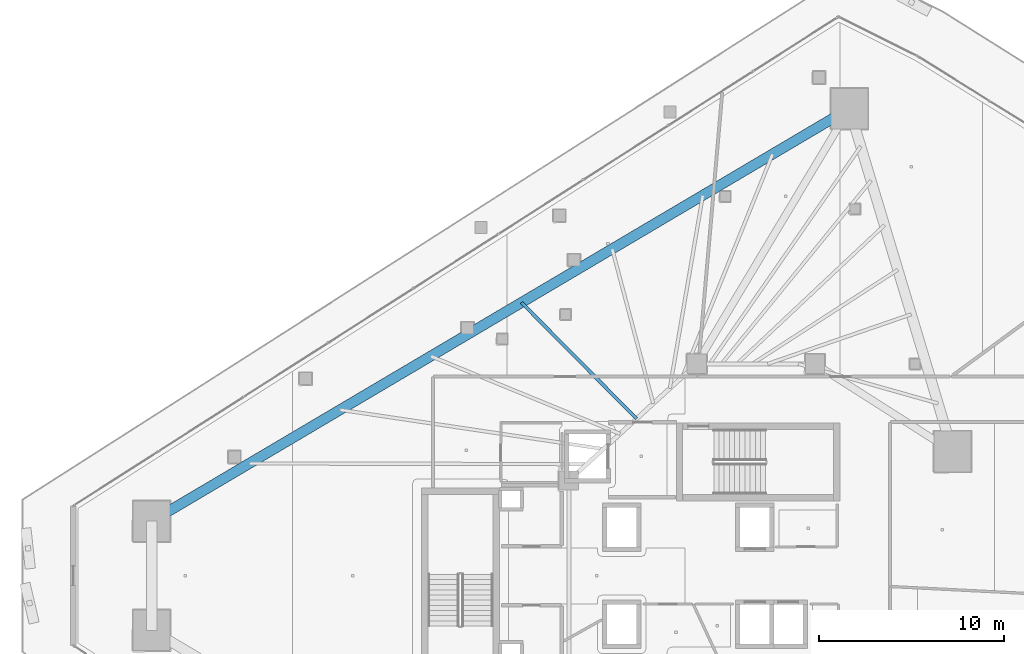
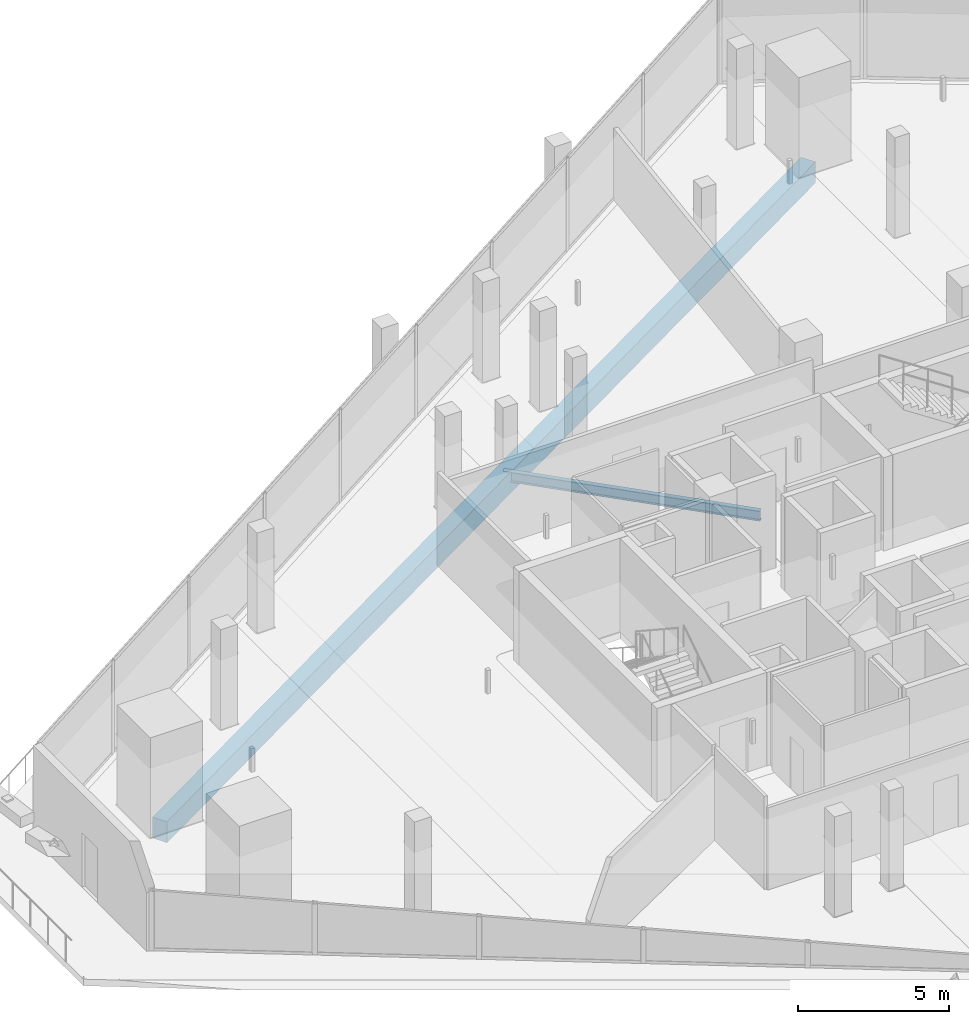
# One storey, part 16 of 38: 2 beams.
"""IFC4 building model written with IfcOpenShell, lengths in metres."""

from ifc_helpers import new_model, si_unit, direction, frame, origin, origin_2d, place, context, subcontext, project, spatial, rectangle, i_section, extrude, material, material_profile, profile_set, type_object, element, save


model = new_model("IFC4")

# Units and contexts
model_context = context("Model", 3, precision=1e-05, world=origin(), true_north=direction((0.0, 1.0)))
body_context = subcontext(model_context, "Body", "Model", "MODEL_VIEW")
ifc_project = project(units=[si_unit("LENGTHUNIT", "METRE"), si_unit("AREAUNIT", "SQUARE_METRE"), si_unit("VOLUMEUNIT", "CUBIC_METRE"), si_unit("PLANEANGLEUNIT", "RADIAN"), si_unit("MASSUNIT", "GRAM", prefix="KILO")], contexts=[model_context])

# Site, building, storey
site_placement = place(None, origin())
site = spatial("IfcSite", under=ifc_project, at=site_placement, CompositionType="ELEMENT")
building_placement = place(site_placement, origin())
building = spatial("IfcBuilding", under=site, at=building_placement, Name="Qorvath Tower", CompositionType="ELEMENT")
storey_placement = place(building_placement, frame((0.0, 0.0, 134.10009765625)))
storey = spatial("IfcBuildingStorey", under=building, at=storey_placement, Name="L30", CompositionType="ELEMENT", Elevation=134.10009765625)

# Beams
ifc_material_1 = material(Name="Steel ASTM A992 Grade 50", Category="steel")
ifc_material_profile_1 = material_profile(ifc_material_1, i_section(OverallWidth=0.177978515625, OverallDepth=0.406005859375, WebThickness=0.0078125, FlangeThickness=0.0126953125, FilletRadius=0.010986328125, at=origin_2d()), Name="W16x40")
ifc_profile_set_1 = profile_set([ifc_material_profile_1], Name="Steel ASTM A992 Grade 50")
beam_type_1 = type_object("IfcBeamType", Name="BM-FJ3", PredefinedType="JOIST", material=ifc_profile_set_1)
beam_1_placement = place(storey_placement, frame((-26.843017578125, 8.489013671875, -0.472900390625), z_axis=(-0.70395121362, 0.710248328997, 0.0), x_axis=(-0.710248328997, -0.70395121362, 0.0)))
element("IfcBeam", 1, at=beam_1_placement, inside=storey, type_object=beam_type_1, Name="Composite Floor Joist NW4 L30", PredefinedType="JOIST", context=body_context, shape_type="SweptSolid", body=[
    extrude(i_section(OverallWidth=0.177978515625, OverallDepth=0.406005859375, WebThickness=0.0078125, FlangeThickness=0.0126953125, FilletRadius=0.010986328125, at=origin_2d()), origin(), (0.0, 0.0, 1.0), 8.839599609375),
])
ifc_material_2 = material(Name="Concrete C50/60", Category="concrete")
ifc_material_profile_2 = material_profile(ifc_material_2, rectangle(XDim=0.550048828125, YDim=0.85009765625, at=origin_2d()), Name="RCB 850x550")
ifc_profile_set_2 = profile_set([ifc_material_profile_2], Name="Concrete C50/60")
beam_type_2 = type_object("IfcBeamType", Name="BM-RCB2", PredefinedType="SPANDREL", material=ifc_profile_set_2)
beam_2_placement = place(storey_placement, frame((-15.34423828125, 25.24609375, -0.695068359375), z_axis=(-0.860775142889, -0.508985415689, 0.0), x_axis=(0.508985415689, -0.860775142889, 0.0)))
element("IfcBeam", 2, at=beam_2_placement, inside=storey, type_object=beam_type_2, Name="Perimeter Loggia Frame Beam MC6-MC1 L30", PredefinedType="SPANDREL", context=body_context, shape_type="SweptSolid", body=[
    extrude(rectangle(XDim=0.550048828125, YDim=0.85009765625, at=origin_2d()), origin(), (0.0, 0.0, 1.0), 43.8037109375),
])

save(model, "model.ifc")
